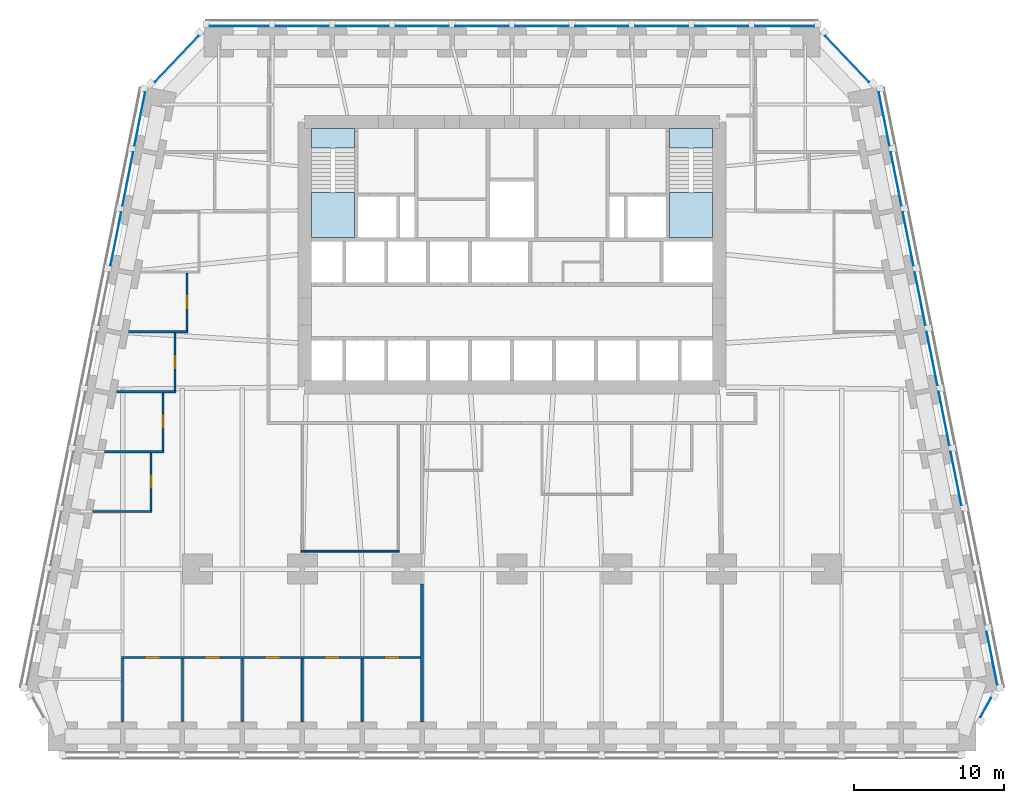
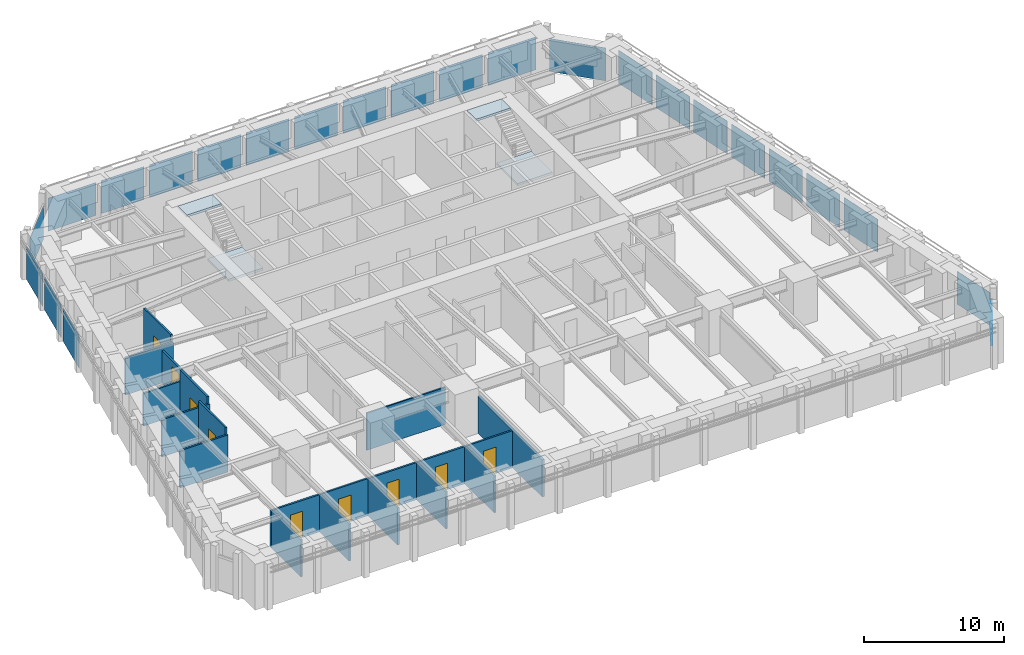
# One storey, part 5 of 10: 24 plates, 16 walls, 9 doors, 4 slabs, 9 openings, 8 elements without a shape of their own.
"""IFC4 building model written with IfcOpenShell, lengths in metres."""

from ifc_helpers import new_model, si_unit, direction, frame, frame_2d, origin, origin_2d, place, context, subcontext, project, spatial, polyline, rectangle, outline, extrude, material, layer, layer_set, type_object, element, fill, aggregate, save


model = new_model("IFC4")

# Units and contexts
model_context = context("Model", 3, precision=1e-05, world=origin(), true_north=direction((0.0, 1.0)))
body_context = subcontext(model_context, "Body", "Model", "MODEL_VIEW")
ifc_project = project(units=[si_unit("LENGTHUNIT", "METRE"), si_unit("AREAUNIT", "SQUARE_METRE"), si_unit("VOLUMEUNIT", "CUBIC_METRE"), si_unit("PLANEANGLEUNIT", "RADIAN"), si_unit("MASSUNIT", "GRAM", prefix="KILO")], contexts=[model_context])

# Site, building, storey
site_placement = place(None, origin())
site = spatial("IfcSite", under=ifc_project, at=site_placement, CompositionType="ELEMENT")
building_placement = place(site_placement, origin())
building = spatial("IfcBuilding", under=site, at=building_placement, Name="Isbrekke Arena Tower", CompositionType="ELEMENT")
storey_placement = place(building_placement, frame((0.0, 0.0, 56.0)))
storey = spatial("IfcBuildingStorey", under=building, at=storey_placement, Name="L11", CompositionType="ELEMENT", Elevation=56.0)

# Curtain wall, plate
ifc_material_1 = material(Name="Glazed aluminium curtain wall", Category="aluminium")
curtain_wall_type = type_object("IfcCurtainWallType", Name="CWL TOWER CURTAIN WALL LOW ZONE", PredefinedType="USERDEFINED", material=ifc_material_1)
curtain_wall_1_placement = place(storey_placement, origin())
curtain_wall_1 = element("IfcCurtainWall", 1, at=curtain_wall_1_placement, inside=storey, type_object=curtain_wall_type, Name="CWL curtain wall L11-SE", ObjectType="TOWER CURTAIN WALL LOW ZONE", PredefinedType="USERDEFINED")
ifc_material_2 = material(Name="Triple-glazed clear glass unit", Category="glass")
ifc_layer_1 = layer(ifc_material_2, 0.031982421875)
ifc_layer_set_1 = layer_set([ifc_layer_1], Name="CWL-P VISION PANEL")
plate_type = type_object("IfcPlateType", Name="CWL-P VISION PANEL", PredefinedType="CURTAIN_PANEL", material=ifc_layer_set_1)
plate_1_placement = place(storey_placement, frame((31.62744140625, -15.24853515625, 0.02001953125), z_axis=(0.0, 0.0, 1.0), x_axis=(0.481918749773, 0.876215908676, 0.0)))
plate_1 = element("IfcPlate", 2, at=plate_1_placement, type_object=plate_type, Name="CWL-P panel 1", PredefinedType="CURTAIN_PANEL", context=body_context, shape_type="SweptSolid", body=[
    extrude(rectangle(XDim=1.453369140625, YDim=0.031982421875, at=origin_2d()), origin(), (0.0, 0.0, 1.0), 2.8798828125),
])
aggregate(curtain_wall_1, [plate_1])

# Curtain wall, plates
curtain_wall_2_placement = place(storey_placement, origin())
curtain_wall_2 = element("IfcCurtainWall", 3, at=curtain_wall_2_placement, inside=storey, type_object=curtain_wall_type, Name="CWL curtain wall L11-E", ObjectType="TOWER CURTAIN WALL LOW ZONE", PredefinedType="USERDEFINED")
plate_2_placement = place(storey_placement, frame((32.045166015625, -11.950927734375, 0.02001953125), z_axis=(0.0, 0.0, 1.0), x_axis=(-0.196116135138, 0.980580675691, 0.0)))
plate_2 = element("IfcPlate", 4, at=plate_2_placement, type_object=plate_type, Name="CWL-P panel 1", PredefinedType="CURTAIN_PANEL", context=body_context, shape_type="SweptSolid", body=[
    extrude(rectangle(XDim=3.629150390625, YDim=0.031982421875, at=origin_2d()), origin(), (0.0, 0.0, 1.0), 2.8798828125),
])
plate_3_placement = place(storey_placement, frame((29.645263671875, 0.049072265625, 0.02001953125), z_axis=(0.0, 0.0, 1.0), x_axis=(-0.196116135138, 0.980580675691, 0.0)))
plate_3 = element("IfcPlate", 5, at=plate_3_placement, type_object=plate_type, Name="CWL-P panel 4", PredefinedType="CURTAIN_PANEL", context=body_context, shape_type="SweptSolid", body=[
    extrude(rectangle(XDim=3.629150390625, YDim=0.031982421875, at=origin_2d()), origin(), (0.0, 0.0, 1.0), 2.8798828125),
])
plate_4_placement = place(storey_placement, frame((28.84521484375, 4.049072265625, 0.02001953125), z_axis=(0.0, 0.0, 1.0), x_axis=(-0.196116135138, 0.980580675691, 0.0)))
plate_4 = element("IfcPlate", 6, at=plate_4_placement, type_object=plate_type, Name="CWL-P panel 5", PredefinedType="CURTAIN_PANEL", context=body_context, shape_type="SweptSolid", body=[
    extrude(rectangle(XDim=3.629150390625, YDim=0.031982421875, at=origin_2d()), origin(), (0.0, 0.0, 1.0), 2.8798828125),
])
plate_5_placement = place(storey_placement, frame((28.045166015625, 8.049072265625, 0.02001953125), z_axis=(0.0, 0.0, 1.0), x_axis=(-0.196116135138, 0.980580675691, 0.0)))
plate_5 = element("IfcPlate", 7, at=plate_5_placement, type_object=plate_type, Name="CWL-P panel 6", PredefinedType="CURTAIN_PANEL", context=body_context, shape_type="SweptSolid", body=[
    extrude(rectangle(XDim=3.629150390625, YDim=0.031982421875, at=origin_2d()), origin(), (0.0, 0.0, 1.0), 2.8798828125),
])
plate_6_placement = place(storey_placement, frame((27.2451171875, 12.049072265625, 0.02001953125), z_axis=(0.0, 0.0, 1.0), x_axis=(-0.196116135138, 0.980580675691, 0.0)))
plate_6 = element("IfcPlate", 8, at=plate_6_placement, type_object=plate_type, Name="CWL-P panel 7", PredefinedType="CURTAIN_PANEL", context=body_context, shape_type="SweptSolid", body=[
    extrude(rectangle(XDim=3.629150390625, YDim=0.031982421875, at=origin_2d()), origin(), (0.0, 0.0, 1.0), 2.8798828125),
])
plate_7_placement = place(storey_placement, frame((26.445068359375, 16.049072265625, 0.02001953125), z_axis=(0.0, 0.0, 1.0), x_axis=(-0.196116135138, 0.980580675691, 0.0)))
plate_7 = element("IfcPlate", 9, at=plate_7_placement, type_object=plate_type, Name="CWL-P panel 8", PredefinedType="CURTAIN_PANEL", context=body_context, shape_type="SweptSolid", body=[
    extrude(rectangle(XDim=3.629150390625, YDim=0.031982421875, at=origin_2d()), origin(), (0.0, 0.0, 1.0), 2.8798828125),
])
plate_8_placement = place(storey_placement, frame((25.645263671875, 20.049072265625, 0.02001953125), z_axis=(0.0, 0.0, 1.0), x_axis=(-0.196116135138, 0.980580675691, 0.0)))
plate_8 = element("IfcPlate", 10, at=plate_8_placement, type_object=plate_type, Name="CWL-P panel 9", PredefinedType="CURTAIN_PANEL", context=body_context, shape_type="SweptSolid", body=[
    extrude(rectangle(XDim=3.629150390625, YDim=0.031982421875, at=origin_2d()), origin(), (0.0, 0.0, 1.0), 2.8798828125),
])
plate_9_placement = place(storey_placement, frame((24.84521484375, 24.049072265625, 0.02001953125), z_axis=(0.0, 0.0, 1.0), x_axis=(-0.196116135138, 0.980580675691, 0.0)))
plate_9 = element("IfcPlate", 11, at=plate_9_placement, type_object=plate_type, Name="CWL-P panel 10", PredefinedType="CURTAIN_PANEL", context=body_context, shape_type="SweptSolid", body=[
    extrude(rectangle(XDim=3.629150390625, YDim=0.031982421875, at=origin_2d()), origin(), (0.0, 0.0, 1.0), 2.8798828125),
])
aggregate(curtain_wall_2, [plate_2, plate_3, plate_4, plate_5, plate_6, plate_7, plate_8, plate_9])

# Curtain wall, plate
curtain_wall_3_placement = place(storey_placement, origin())
curtain_wall_3 = element("IfcCurtainWall", 12, at=curtain_wall_3_placement, inside=storey, type_object=curtain_wall_type, Name="CWL curtain wall L11-EN", ObjectType="TOWER CURTAIN WALL LOW ZONE", PredefinedType="USERDEFINED")
plate_10_placement = place(storey_placement, frame((22.386474609375, 28.05419921875, 0.02001953125), z_axis=(0.0, 0.0, 1.0), x_axis=(-0.68874946192, 0.72499943359, 0.0)))
plate_10 = element("IfcPlate", 13, at=plate_10_placement, type_object=plate_type, Name="CWL-P panel 1", PredefinedType="CURTAIN_PANEL", context=body_context, shape_type="SweptSolid", body=[
    extrude(rectangle(XDim=4.22900390625, YDim=0.031982421875, at=origin_2d()), origin(), (0.0, 0.0, 1.0), 2.8798828125),
])
aggregate(curtain_wall_3, [plate_10])

# Curtain wall, plates
curtain_wall_4_placement = place(storey_placement, origin())
curtain_wall_4 = element("IfcCurtainWall", 14, at=curtain_wall_4_placement, inside=storey, type_object=curtain_wall_type, Name="CWL curtain wall L11-N", ObjectType="TOWER CURTAIN WALL LOW ZONE", PredefinedType="USERDEFINED")
plate_11_placement = place(storey_placement, frame((18.199951171875, 30.25, 0.02001953125), z_axis=(0.0, 0.0, 1.0), x_axis=(-1.0, 0.0, 0.0)))
plate_11 = element("IfcPlate", 15, at=plate_11_placement, type_object=plate_type, Name="CWL-P panel 1", PredefinedType="CURTAIN_PANEL", context=body_context, shape_type="SweptSolid", body=[
    extrude(rectangle(XDim=3.949951171875, YDim=0.031982421875, at=origin_2d()), origin(), (0.0, 0.0, 1.0), 2.8798828125),
])
plate_12_placement = place(storey_placement, frame((14.0, 30.25, 0.02001953125), z_axis=(0.0, 0.0, 1.0), x_axis=(-1.0, 0.0, 0.0)))
plate_12 = element("IfcPlate", 16, at=plate_12_placement, type_object=plate_type, Name="CWL-P panel 2", PredefinedType="CURTAIN_PANEL", context=body_context, shape_type="SweptSolid", body=[
    extrude(rectangle(XDim=3.550048828125, YDim=0.031982421875, at=origin_2d()), origin(), (0.0, 0.0, 1.0), 2.8798828125),
])
plate_13_placement = place(storey_placement, frame((10.0, 30.25, 0.02001953125), z_axis=(0.0, 0.0, 1.0), x_axis=(-1.0, 0.0, 0.0)))
plate_13 = element("IfcPlate", 17, at=plate_13_placement, type_object=plate_type, Name="CWL-P panel 3", PredefinedType="CURTAIN_PANEL", context=body_context, shape_type="SweptSolid", body=[
    extrude(rectangle(XDim=3.550048828125, YDim=0.031982421875, at=origin_2d()), origin(), (0.0, 0.0, 1.0), 2.8798828125),
])
plate_14_placement = place(storey_placement, frame((6.0, 30.25, 0.02001953125), z_axis=(0.0, 0.0, 1.0), x_axis=(-1.0, 0.0, 0.0)))
plate_14 = element("IfcPlate", 18, at=plate_14_placement, type_object=plate_type, Name="CWL-P panel 4", PredefinedType="CURTAIN_PANEL", context=body_context, shape_type="SweptSolid", body=[
    extrude(rectangle(XDim=3.550048828125, YDim=0.031982421875, at=origin_2d()), origin(), (0.0, 0.0, 1.0), 2.8798828125),
])
plate_15_placement = place(storey_placement, frame((2.0, 30.25, 0.02001953125), z_axis=(0.0, 0.0, 1.0), x_axis=(-1.0, 0.0, 0.0)))
plate_15 = element("IfcPlate", 19, at=plate_15_placement, type_object=plate_type, Name="CWL-P panel 5", PredefinedType="CURTAIN_PANEL", context=body_context, shape_type="SweptSolid", body=[
    extrude(rectangle(XDim=3.550048828125, YDim=0.031982421875, at=origin_2d()), origin(), (0.0, 0.0, 1.0), 2.8798828125),
])
plate_16_placement = place(storey_placement, frame((-2.0, 30.25, 0.02001953125), z_axis=(0.0, 0.0, 1.0), x_axis=(-1.0, 0.0, 0.0)))
plate_16 = element("IfcPlate", 20, at=plate_16_placement, type_object=plate_type, Name="CWL-P panel 6", PredefinedType="CURTAIN_PANEL", context=body_context, shape_type="SweptSolid", body=[
    extrude(rectangle(XDim=3.550048828125, YDim=0.031982421875, at=origin_2d()), origin(), (0.0, 0.0, 1.0), 2.8798828125),
])
plate_17_placement = place(storey_placement, frame((-6.0, 30.25, 0.02001953125), z_axis=(0.0, 0.0, 1.0), x_axis=(-1.0, 0.0, 0.0)))
plate_17 = element("IfcPlate", 21, at=plate_17_placement, type_object=plate_type, Name="CWL-P panel 7", PredefinedType="CURTAIN_PANEL", context=body_context, shape_type="SweptSolid", body=[
    extrude(rectangle(XDim=3.550048828125, YDim=0.031982421875, at=origin_2d()), origin(), (0.0, 0.0, 1.0), 2.8798828125),
])
plate_18_placement = place(storey_placement, frame((-10.0, 30.25, 0.02001953125), z_axis=(0.0, 0.0, 1.0), x_axis=(-1.0, 0.0, 0.0)))
plate_18 = element("IfcPlate", 22, at=plate_18_placement, type_object=plate_type, Name="CWL-P panel 8", PredefinedType="CURTAIN_PANEL", context=body_context, shape_type="SweptSolid", body=[
    extrude(rectangle(XDim=3.550048828125, YDim=0.031982421875, at=origin_2d()), origin(), (0.0, 0.0, 1.0), 2.8798828125),
])
plate_19_placement = place(storey_placement, frame((-14.0, 30.25, 0.02001953125), z_axis=(0.0, 0.0, 1.0), x_axis=(-1.0, 0.0, 0.0)))
plate_19 = element("IfcPlate", 23, at=plate_19_placement, type_object=plate_type, Name="CWL-P panel 9", PredefinedType="CURTAIN_PANEL", context=body_context, shape_type="SweptSolid", body=[
    extrude(rectangle(XDim=3.550048828125, YDim=0.031982421875, at=origin_2d()), origin(), (0.0, 0.0, 1.0), 2.8798828125),
])
plate_20_placement = place(storey_placement, frame((-18.199951171875, 30.25, 0.02001953125), z_axis=(0.0, 0.0, 1.0), x_axis=(-1.0, 0.0, 0.0)))
plate_20 = element("IfcPlate", 24, at=plate_20_placement, type_object=plate_type, Name="CWL-P panel 10", PredefinedType="CURTAIN_PANEL", context=body_context, shape_type="SweptSolid", body=[
    extrude(rectangle(XDim=3.949951171875, YDim=0.031982421875, at=origin_2d()), origin(), (0.0, 0.0, 1.0), 2.8798828125),
])
aggregate(curtain_wall_4, [plate_11, plate_12, plate_13, plate_14, plate_15, plate_16, plate_17, plate_18, plate_19, plate_20])

# Curtain wall, plate
curtain_wall_5_placement = place(storey_placement, origin())
curtain_wall_5 = element("IfcCurtainWall", 25, at=curtain_wall_5_placement, inside=storey, type_object=curtain_wall_type, Name="CWL curtain wall L11-NW", ObjectType="TOWER CURTAIN WALL LOW ZONE", PredefinedType="USERDEFINED")
plate_21_placement = place(storey_placement, frame((-22.38623046875, 28.054443359375, 0.02001953125), z_axis=(0.0, 0.0, 1.0), x_axis=(-0.68874946192, -0.72499943359, 0.0)))
plate_21 = element("IfcPlate", 26, at=plate_21_placement, type_object=plate_type, Name="CWL-P panel 1", PredefinedType="CURTAIN_PANEL", context=body_context, shape_type="SweptSolid", body=[
    extrude(rectangle(XDim=4.22802734375, YDim=0.031982421875, at=origin_2d()), origin(), (0.0, 0.0, 1.0), 2.8798828125),
])
aggregate(curtain_wall_5, [plate_21])

# Curtain wall, plates
curtain_wall_6_placement = place(storey_placement, origin())
curtain_wall_6 = element("IfcCurtainWall", 27, at=curtain_wall_6_placement, inside=storey, type_object=curtain_wall_type, Name="CWL curtain wall L11-W", ObjectType="TOWER CURTAIN WALL LOW ZONE", PredefinedType="USERDEFINED")
plate_22_placement = place(storey_placement, frame((-24.84521484375, 24.049072265625, 0.02001953125), z_axis=(0.0, 0.0, 1.0), x_axis=(-0.196116135138, -0.980580675691, 0.0)))
plate_22 = element("IfcPlate", 28, at=plate_22_placement, type_object=plate_type, Name="CWL-P panel 1", PredefinedType="CURTAIN_PANEL", context=body_context, shape_type="SweptSolid", body=[
    extrude(rectangle(XDim=3.629150390625, YDim=0.031982421875, at=origin_2d()), origin(), (0.0, 0.0, 1.0), 2.8798828125),
])
plate_23_placement = place(storey_placement, frame((-25.645263671875, 20.049072265625, 0.02001953125), z_axis=(0.0, 0.0, 1.0), x_axis=(-0.196116135138, -0.980580675691, 0.0)))
plate_23 = element("IfcPlate", 29, at=plate_23_placement, type_object=plate_type, Name="CWL-P panel 2", PredefinedType="CURTAIN_PANEL", context=body_context, shape_type="SweptSolid", body=[
    extrude(rectangle(XDim=3.629150390625, YDim=0.031982421875, at=origin_2d()), origin(), (0.0, 0.0, 1.0), 2.8798828125),
])
plate_24_placement = place(storey_placement, frame((-26.445068359375, 16.049072265625, 0.02001953125), z_axis=(0.0, 0.0, 1.0), x_axis=(-0.196116135138, -0.980580675691, 0.0)))
plate_24 = element("IfcPlate", 30, at=plate_24_placement, type_object=plate_type, Name="CWL-P panel 3", PredefinedType="CURTAIN_PANEL", context=body_context, shape_type="SweptSolid", body=[
    extrude(rectangle(XDim=3.629150390625, YDim=0.031982421875, at=origin_2d()), origin(), (0.0, 0.0, 1.0), 2.8798828125),
])
aggregate(curtain_wall_6, [plate_22, plate_23, plate_24])

# Stair, slabs
ifc_material_3 = material(Name="Concrete B45 (C45/55) precast", Category="concrete")
stair_type = type_object("IfcStairType", Name="ST40 STAIR 1300 WIDE, 24 RISERS 167", PredefinedType="HALF_TURN_STAIR", material=ifc_material_3)
stair_1_placement = place(storey_placement, origin())
stair_1 = element("IfcStair", 31, at=stair_1_placement, inside=storey, type_object=stair_type, Name="ST1 stair L11", PredefinedType="HALF_TURN_STAIR")
ifc_material_4 = material(Name="Concrete B35 (C35/45)", Category="concrete")
ifc_layer_2 = layer(ifc_material_4, 0.199951171875)
ifc_layer_set_2 = layer_set([ifc_layer_2], Name="SL1 STAIR LANDING 200")
slab_type = type_object("IfcSlabType", Name="SL1 STAIR LANDING 200", PredefinedType="LANDING", material=ifc_layer_set_2)
slab_1_placement = place(storey_placement, frame((0.0, 0.0, 1.800048828125)))
slab_1 = element("IfcSlab", 32, at=slab_1_placement, type_object=slab_type, Name="ST1 landing 1", PredefinedType="LANDING", context=body_context, shape_type="SweptSolid", body=[
    extrude(outline(polyline([(-13.39990234375, 16.125), (-10.52490234375, 16.125), (-10.52490234375, 19.1298828125), (-13.39990234375, 19.1298828125), (-13.39990234375, 16.125)])), origin(), (0.0, 0.0, 1.0), 0.199951171875),
])
slab_2_placement = place(storey_placement, frame((0.0, 0.0, 3.800048828125)))
slab_2 = element("IfcSlab", 33, at=slab_2_placement, type_object=slab_type, Name="ST1 landing 2", PredefinedType="LANDING", context=body_context, shape_type="SweptSolid", body=[
    extrude(outline(polyline([(-13.39990234375, 22.10009765625), (-10.52490234375, 22.10009765625), (-10.52490234375, 23.39990234375), (-13.39990234375, 23.39990234375), (-13.39990234375, 22.10009765625)])), origin(), (0.0, 0.0, 1.0), 0.199951171875),
])
aggregate(stair_1, [slab_1, slab_2])

stair_2_placement = place(storey_placement, origin())
stair_2 = element("IfcStair", 34, at=stair_2_placement, inside=storey, type_object=stair_type, Name="ST2 stair L11", PredefinedType="HALF_TURN_STAIR")
slab_3_placement = place(storey_placement, frame((0.0, 0.0, 1.800048828125)))
slab_3 = element("IfcSlab", 35, at=slab_3_placement, type_object=slab_type, Name="ST2 landing 1", PredefinedType="LANDING", context=body_context, shape_type="SweptSolid", body=[
    extrude(outline(polyline([(10.52490234375, 16.125), (13.39990234375, 16.125), (13.39990234375, 19.1298828125), (10.52490234375, 19.1298828125), (10.52490234375, 16.125)])), origin(), (0.0, 0.0, 1.0), 0.199951171875),
])
slab_4_placement = place(storey_placement, frame((0.0, 0.0, 3.800048828125)))
slab_4 = element("IfcSlab", 36, at=slab_4_placement, type_object=slab_type, Name="ST2 landing 2", PredefinedType="LANDING", context=body_context, shape_type="SweptSolid", body=[
    extrude(outline(polyline([(10.52490234375, 22.10009765625), (13.39990234375, 22.10009765625), (13.39990234375, 23.39990234375), (10.52490234375, 23.39990234375), (10.52490234375, 22.10009765625)])), origin(), (0.0, 0.0, 1.0), 0.199951171875),
])
aggregate(stair_2, [slab_3, slab_4])

# Wall, openings, doors
ifc_material_5 = material(Name="Gypsum board partition on steel studs", Category="steel")
ifc_layer_3 = layer(ifc_material_5, 0.14990234375)
ifc_layer_set_3 = layer_set([ifc_layer_3], Name="IW1 PARTITION 150")
wall_type_1 = type_object("IfcWallType", Name="IW1 PARTITION 150", PredefinedType="PARTITIONING", material=ifc_layer_set_3)
wall_1_placement = place(storey_placement, frame((-26.074951171875, -11.89990234375, 0.0), z_axis=(0.0, 0.0, 1.0), x_axis=(1.0, 0.0, 0.0)))
wall_1 = element("IfcWall", 37, at=wall_1_placement, inside=storey, type_object=wall_type_1, Name="IW1 partition 150 L11", PredefinedType="PARTITIONING", context=body_context, shape_type="SweptSolid", body=[
    extrude(rectangle(XDim=19.974853515625, YDim=0.14990234375, at=frame_2d((9.9873046875, 0.0))), origin(), (0.0, 0.0, 1.0), 3.25),
])
opening_1_placement = place(wall_1_placement, frame((1.574951171875, 0.0, 0.0)))
opening_1 = element("IfcOpeningElement", 38, at=opening_1_placement, cuts=wall_1, Name="Opening D10", PredefinedType="OPENING", context=body_context, shape_type="SweptSolid", body=[
    extrude(rectangle(XDim=1.0, YDim=2.300048828125, at=frame_2d((0.5, 1.14990234375))), frame((0.0, 0.08984375, 0.0), z_axis=(0.0, -1.0, 0.0), x_axis=(1.0, 0.0, 0.0)), (0.0, 0.0, 1.0), 0.1796875),
])
opening_2_placement = place(wall_1_placement, frame((5.574951171875, 0.0, 0.0)))
opening_2 = element("IfcOpeningElement", 39, at=opening_2_placement, cuts=wall_1, Name="Opening D10", PredefinedType="OPENING", context=body_context, shape_type="SweptSolid", body=[
    extrude(rectangle(XDim=1.0, YDim=2.300048828125, at=frame_2d((0.5, 1.14990234375))), frame((0.0, 0.08984375, 0.0), z_axis=(0.0, -1.0, 0.0), x_axis=(1.0, 0.0, 0.0)), (0.0, 0.0, 1.0), 0.1796875),
])
opening_3_placement = place(wall_1_placement, frame((9.574951171875, 0.0, 0.0)))
opening_3 = element("IfcOpeningElement", 40, at=opening_3_placement, cuts=wall_1, Name="Opening D10", PredefinedType="OPENING", context=body_context, shape_type="SweptSolid", body=[
    extrude(rectangle(XDim=1.0, YDim=2.300048828125, at=frame_2d((0.5, 1.14990234375))), frame((0.0, 0.08984375, 0.0), z_axis=(0.0, -1.0, 0.0), x_axis=(1.0, 0.0, 0.0)), (0.0, 0.0, 1.0), 0.1796875),
])
opening_4_placement = place(wall_1_placement, frame((13.574951171875, 0.0, 0.0)))
opening_4 = element("IfcOpeningElement", 41, at=opening_4_placement, cuts=wall_1, Name="Opening D10", PredefinedType="OPENING", context=body_context, shape_type="SweptSolid", body=[
    extrude(rectangle(XDim=1.0, YDim=2.300048828125, at=frame_2d((0.5, 1.14990234375))), frame((0.0, 0.08984375, 0.0), z_axis=(0.0, -1.0, 0.0), x_axis=(1.0, 0.0, 0.0)), (0.0, 0.0, 1.0), 0.1796875),
])
opening_5_placement = place(wall_1_placement, frame((17.574951171875, 0.0, 0.0)))
opening_5 = element("IfcOpeningElement", 42, at=opening_5_placement, cuts=wall_1, Name="Opening D10", PredefinedType="OPENING", context=body_context, shape_type="SweptSolid", body=[
    extrude(rectangle(XDim=1.0, YDim=2.300048828125, at=frame_2d((0.5, 1.14990234375))), frame((0.0, 0.08984375, 0.0), z_axis=(0.0, -1.0, 0.0), x_axis=(1.0, 0.0, 0.0)), (0.0, 0.0, 1.0), 0.1796875),
])
ifc_material_6 = material(Name="Timber door", Category="wood")
door_type = type_object("IfcDoorType", Name="D10 OFFICE DOOR 1000 x 2300", OperationType="SINGLE_SWING_LEFT", PredefinedType="DOOR", material=ifc_material_6)
door_1_placement = place(opening_1_placement, origin())
door_1 = element("IfcDoor", 43, at=door_1_placement, inside=storey, type_object=door_type, Name="D10 office door L11", OperationType="SINGLE_SWING_LEFT", OverallHeight=2.300048828125, OverallWidth=1.0, PredefinedType="DOOR", context=body_context, shape_type="SweptSolid", body=[
    extrude(rectangle(XDim=1.0, YDim=2.300048828125, at=frame_2d((0.5, 1.14990234375))), frame((0.0, 0.07470703125, 0.0), z_axis=(0.0, -1.0, 0.0), x_axis=(1.0, 0.0, 0.0)), (0.0, 0.0, 1.0), 0.1494140625),
])
fill(opening_1, door_1)
door_2_placement = place(opening_2_placement, origin())
door_2 = element("IfcDoor", 44, at=door_2_placement, inside=storey, type_object=door_type, Name="D10 office door L11", OperationType="SINGLE_SWING_LEFT", OverallHeight=2.300048828125, OverallWidth=1.0, PredefinedType="DOOR", context=body_context, shape_type="SweptSolid", body=[
    extrude(rectangle(XDim=1.0, YDim=2.300048828125, at=frame_2d((0.5, 1.14990234375))), frame((0.0, 0.07470703125, 0.0), z_axis=(0.0, -1.0, 0.0), x_axis=(1.0, 0.0, 0.0)), (0.0, 0.0, 1.0), 0.1494140625),
])
fill(opening_2, door_2)
door_3_placement = place(opening_3_placement, origin())
door_3 = element("IfcDoor", 45, at=door_3_placement, inside=storey, type_object=door_type, Name="D10 office door L11", OperationType="SINGLE_SWING_LEFT", OverallHeight=2.300048828125, OverallWidth=1.0, PredefinedType="DOOR", context=body_context, shape_type="SweptSolid", body=[
    extrude(rectangle(XDim=1.0, YDim=2.300048828125, at=frame_2d((0.5, 1.14990234375))), frame((0.0, 0.07470703125, 0.0), z_axis=(0.0, -1.0, 0.0), x_axis=(1.0, 0.0, 0.0)), (0.0, 0.0, 1.0), 0.1494140625),
])
fill(opening_3, door_3)
door_4_placement = place(opening_4_placement, origin())
door_4 = element("IfcDoor", 46, at=door_4_placement, inside=storey, type_object=door_type, Name="D10 office door L11", OperationType="SINGLE_SWING_LEFT", OverallHeight=2.300048828125, OverallWidth=1.0, PredefinedType="DOOR", context=body_context, shape_type="SweptSolid", body=[
    extrude(rectangle(XDim=1.0, YDim=2.300048828125, at=frame_2d((0.5, 1.14990234375))), frame((0.0, 0.07470703125, 0.0), z_axis=(0.0, -1.0, 0.0), x_axis=(1.0, 0.0, 0.0)), (0.0, 0.0, 1.0), 0.1494140625),
])
fill(opening_4, door_4)
door_5_placement = place(opening_5_placement, origin())
door_5 = element("IfcDoor", 47, at=door_5_placement, inside=storey, type_object=door_type, Name="D10 office door L11", OperationType="SINGLE_SWING_LEFT", OverallHeight=2.300048828125, OverallWidth=1.0, PredefinedType="DOOR", context=body_context, shape_type="SweptSolid", body=[
    extrude(rectangle(XDim=1.0, YDim=2.300048828125, at=frame_2d((0.5, 1.14990234375))), frame((0.0, 0.07470703125, 0.0), z_axis=(0.0, -1.0, 0.0), x_axis=(1.0, 0.0, 0.0)), (0.0, 0.0, 1.0), 0.1494140625),
])
fill(opening_5, door_5)

# Walls
wall_2_placement = place(storey_placement, frame((-27.996337890625, -2.159912109375, 0.0), z_axis=(0.0, 0.0, 1.0), x_axis=(1.0, 0.0, 0.0)))
element("IfcWall", 48, at=wall_2_placement, inside=storey, type_object=wall_type_1, Name="IW1 partition 150 L11", PredefinedType="PARTITIONING", context=body_context, shape_type="SweptSolid", body=[
    extrude(rectangle(XDim=3.971435546875, YDim=0.14990234375, at=frame_2d((1.98583984375, 0.0))), origin(), (0.0, 0.0, 1.0), 3.25),
])
wall_3_placement = place(storey_placement, frame((-27.1962890625, 1.840087890625, 0.0), z_axis=(0.0, 0.0, 1.0), x_axis=(1.0, 0.0, 0.0)))
element("IfcWall", 49, at=wall_3_placement, inside=storey, type_object=wall_type_1, Name="IW1 partition 150 L11", PredefinedType="PARTITIONING", context=body_context, shape_type="SweptSolid", body=[
    extrude(rectangle(XDim=3.97119140625, YDim=0.14990234375, at=frame_2d((1.985595703125, 0.0))), origin(), (0.0, 0.0, 1.0), 3.25),
])
wall_4_placement = place(storey_placement, frame((-26.396484375, 5.840087890625, 0.0), z_axis=(0.0, 0.0, 1.0), x_axis=(1.0, 0.0, 0.0)))
element("IfcWall", 50, at=wall_4_placement, inside=storey, type_object=wall_type_1, Name="IW1 partition 150 L11", PredefinedType="PARTITIONING", context=body_context, shape_type="SweptSolid", body=[
    extrude(rectangle(XDim=3.971435546875, YDim=0.14990234375, at=frame_2d((1.98583984375, 0.0))), origin(), (0.0, 0.0, 1.0), 2.842041015625),
])
wall_5_placement = place(storey_placement, frame((-25.596435546875, 9.840087890625, 0.0), z_axis=(0.0, 0.0, 1.0), x_axis=(1.0, 0.0, 0.0)))
element("IfcWall", 51, at=wall_5_placement, inside=storey, type_object=wall_type_1, Name="IW1 partition 150 L11", PredefinedType="PARTITIONING", context=body_context, shape_type="SweptSolid", body=[
    extrude(rectangle(XDim=3.971435546875, YDim=0.14990234375, at=frame_2d((1.98583984375, 0.0))), origin(), (0.0, 0.0, 1.0), 3.25),
])
wall_6_placement = place(storey_placement, frame((-26.0, -16.199951171875, 0.0), z_axis=(0.0, 0.0, 1.0), x_axis=(0.0, 1.0, 0.0)))
element("IfcWall", 52, at=wall_6_placement, inside=storey, type_object=wall_type_1, Name="IW1 partition 150 L11", PredefinedType="PARTITIONING", context=body_context, shape_type="SweptSolid", body=[
    extrude(rectangle(XDim=4.224853515625, YDim=0.14990234375, at=frame_2d((2.1123046875, 0.0))), origin(), (0.0, 0.0, 1.0), 3.25),
])

# Wall, opening, door
wall_7_placement = place(storey_placement, frame((-24.10009765625, -2.0849609375, 0.0), z_axis=(0.0, 0.0, 1.0), x_axis=(0.0, 1.0, 0.0)))
wall_7 = element("IfcWall", 53, at=wall_7_placement, inside=storey, type_object=wall_type_1, Name="IW1 partition 150 L11", PredefinedType="PARTITIONING", context=body_context, shape_type="SweptSolid", body=[
    extrude(rectangle(XDim=3.849853515625, YDim=0.14990234375, at=frame_2d((1.9248046875, 0.0))), origin(), (0.0, 0.0, 1.0), 3.85009765625),
])
opening_6_placement = place(wall_7_placement, frame((1.425048828125, 0.0, 0.0)))
opening_6 = element("IfcOpeningElement", 54, at=opening_6_placement, cuts=wall_7, Name="Opening D10", PredefinedType="OPENING", context=body_context, shape_type="SweptSolid", body=[
    extrude(rectangle(XDim=1.0, YDim=2.300048828125, at=frame_2d((0.5, 1.14990234375))), frame((0.0, 0.08984375, 0.0), z_axis=(0.0, -1.0, 0.0), x_axis=(1.0, 0.0, 0.0)), (0.0, 0.0, 1.0), 0.1796875),
])
door_6_placement = place(opening_6_placement, origin())
door_6 = element("IfcDoor", 55, at=door_6_placement, inside=storey, type_object=door_type, Name="D10 office door L11", OperationType="SINGLE_SWING_LEFT", OverallHeight=2.300048828125, OverallWidth=1.0, PredefinedType="DOOR", context=body_context, shape_type="SweptSolid", body=[
    extrude(rectangle(XDim=1.0, YDim=2.300048828125, at=frame_2d((0.5, 1.14990234375))), frame((0.0, 0.07470703125, 0.0), z_axis=(0.0, -1.0, 0.0), x_axis=(1.0, 0.0, 0.0)), (0.0, 0.0, 1.0), 0.1494140625),
])
fill(opening_6, door_6)

wall_8_placement = place(storey_placement, frame((-23.300048828125, 1.9150390625, 0.0), z_axis=(0.0, 0.0, 1.0), x_axis=(0.0, 1.0, 0.0)))
wall_8 = element("IfcWall", 56, at=wall_8_placement, inside=storey, type_object=wall_type_1, Name="IW1 partition 150 L11", PredefinedType="PARTITIONING", context=body_context, shape_type="SweptSolid", body=[
    extrude(rectangle(XDim=3.849853515625, YDim=0.14990234375, at=frame_2d((1.9248046875, 0.0))), origin(), (0.0, 0.0, 1.0), 3.85009765625),
])
opening_7_placement = place(wall_8_placement, frame((1.425048828125, 0.0, 0.0)))
opening_7 = element("IfcOpeningElement", 57, at=opening_7_placement, cuts=wall_8, Name="Opening D10", PredefinedType="OPENING", context=body_context, shape_type="SweptSolid", body=[
    extrude(rectangle(XDim=1.0, YDim=2.300048828125, at=frame_2d((0.5, 1.14990234375))), frame((0.0, 0.08984375, 0.0), z_axis=(0.0, -1.0, 0.0), x_axis=(1.0, 0.0, 0.0)), (0.0, 0.0, 1.0), 0.1796875),
])
door_7_placement = place(opening_7_placement, origin())
door_7 = element("IfcDoor", 58, at=door_7_placement, inside=storey, type_object=door_type, Name="D10 office door L11", OperationType="SINGLE_SWING_LEFT", OverallHeight=2.300048828125, OverallWidth=1.0, PredefinedType="DOOR", context=body_context, shape_type="SweptSolid", body=[
    extrude(rectangle(XDim=1.0, YDim=2.300048828125, at=frame_2d((0.5, 1.14990234375))), frame((0.0, 0.07470703125, 0.0), z_axis=(0.0, -1.0, 0.0), x_axis=(1.0, 0.0, 0.0)), (0.0, 0.0, 1.0), 0.1494140625),
])
fill(opening_7, door_7)

wall_9_placement = place(storey_placement, frame((-22.5, 5.9150390625, 0.0), z_axis=(0.0, 0.0, 1.0), x_axis=(0.0, 1.0, 0.0)))
wall_9 = element("IfcWall", 59, at=wall_9_placement, inside=storey, type_object=wall_type_1, Name="IW1 partition 150 L11", PredefinedType="PARTITIONING", context=body_context, shape_type="SweptSolid", body=[
    extrude(rectangle(XDim=3.849853515625, YDim=0.14990234375, at=frame_2d((1.9248046875, 0.0))), origin(), (0.0, 0.0, 1.0), 2.842041015625),
])
opening_8_placement = place(wall_9_placement, frame((1.425048828125, 0.0, 0.0)))
opening_8 = element("IfcOpeningElement", 60, at=opening_8_placement, cuts=wall_9, Name="Opening D10", PredefinedType="OPENING", context=body_context, shape_type="SweptSolid", body=[
    extrude(rectangle(XDim=1.0, YDim=2.300048828125, at=frame_2d((0.5, 1.14990234375))), frame((0.0, 0.08984375, 0.0), z_axis=(0.0, -1.0, 0.0), x_axis=(1.0, 0.0, 0.0)), (0.0, 0.0, 1.0), 0.1796875),
])
door_8_placement = place(opening_8_placement, origin())
door_8 = element("IfcDoor", 61, at=door_8_placement, inside=storey, type_object=door_type, Name="D10 office door L11", OperationType="SINGLE_SWING_LEFT", OverallHeight=2.300048828125, OverallWidth=1.0, PredefinedType="DOOR", context=body_context, shape_type="SweptSolid", body=[
    extrude(rectangle(XDim=1.0, YDim=2.300048828125, at=frame_2d((0.5, 1.14990234375))), frame((0.0, 0.07470703125, 0.0), z_axis=(0.0, -1.0, 0.0), x_axis=(1.0, 0.0, 0.0)), (0.0, 0.0, 1.0), 0.1494140625),
])
fill(opening_8, door_8)

# Wall
wall_10_placement = place(storey_placement, frame((-22.0, -16.199951171875, 0.0), z_axis=(0.0, 0.0, 1.0), x_axis=(0.0, 1.0, 0.0)))
element("IfcWall", 62, at=wall_10_placement, inside=storey, type_object=wall_type_1, Name="IW1 partition 150 L11", PredefinedType="PARTITIONING", context=body_context, shape_type="SweptSolid", body=[
    extrude(rectangle(XDim=4.224853515625, YDim=0.14990234375, at=frame_2d((2.1123046875, 0.0))), origin(), (0.0, 0.0, 1.0), 3.25),
])

# Wall, opening, door
wall_11_placement = place(storey_placement, frame((-21.699951171875, 9.9150390625, 0.0), z_axis=(0.0, 0.0, 1.0), x_axis=(0.0, 1.0, 0.0)))
wall_11 = element("IfcWall", 63, at=wall_11_placement, inside=storey, type_object=wall_type_1, Name="IW1 partition 150 L11", PredefinedType="PARTITIONING", context=body_context, shape_type="SweptSolid", body=[
    extrude(rectangle(XDim=3.849853515625, YDim=0.14990234375, at=frame_2d((1.9248046875, 0.0))), origin(), (0.0, 0.0, 1.0), 3.85009765625),
])
opening_9_placement = place(wall_11_placement, frame((1.425048828125, 0.0, 0.0)))
opening_9 = element("IfcOpeningElement", 64, at=opening_9_placement, cuts=wall_11, Name="Opening D10", PredefinedType="OPENING", context=body_context, shape_type="SweptSolid", body=[
    extrude(rectangle(XDim=1.0, YDim=2.300048828125, at=frame_2d((0.5, 1.14990234375))), frame((0.0, 0.08984375, 0.0), z_axis=(0.0, -1.0, 0.0), x_axis=(1.0, 0.0, 0.0)), (0.0, 0.0, 1.0), 0.1796875),
])
door_9_placement = place(opening_9_placement, origin())
door_9 = element("IfcDoor", 65, at=door_9_placement, inside=storey, type_object=door_type, Name="D10 office door L11", OperationType="SINGLE_SWING_LEFT", OverallHeight=2.300048828125, OverallWidth=1.0, PredefinedType="DOOR", context=body_context, shape_type="SweptSolid", body=[
    extrude(rectangle(XDim=1.0, YDim=2.300048828125, at=frame_2d((0.5, 1.14990234375))), frame((0.0, 0.07470703125, 0.0), z_axis=(0.0, -1.0, 0.0), x_axis=(1.0, 0.0, 0.0)), (0.0, 0.0, 1.0), 0.1494140625),
])
fill(opening_9, door_9)

# Walls
for number, where, z_axis, x_axis, name in (
    (66, (-18.0, -16.199951171875, 0.0), (0.0, 0.0, 1.0), (0.0, 1.0, 0.0), "IW1 partition 150 L11"),
    (67, (-14.0, -16.199951171875, 0.0), (0.0, 0.0, 1.0), (0.0, 1.0, 0.0), "IW1 partition 150 L11"),
    (68, (-10.0, -16.199951171875, 0.0), (0.0, 0.0, 1.0), (0.0, 1.0, 0.0), "IW1 partition 150 L11"),
):
    element("IfcWall", number, at=place(storey_placement, frame(where, z_axis=z_axis, x_axis=x_axis)), inside=storey, type_object=wall_type_1, Name=name, PredefinedType="PARTITIONING", context=body_context, shape_type="SweptSolid", body=[
        extrude(rectangle(XDim=4.224853515625, YDim=0.14990234375, at=frame_2d((2.1123046875, 0.0))), origin(), (0.0, 0.0, 1.0), 3.25),
    ])
ifc_material_7 = material(Name="Frameless glazed partition, laminated acoustic glass", Category="glass")
ifc_layer_4 = layer(ifc_material_7, 0.1201171875)
ifc_layer_set_4 = layer_set([ifc_layer_4], Name="IW2 GLAZED PARTITION 120")
wall_type_2 = type_object("IfcWallType", Name="IW2 GLAZED PARTITION 120", PredefinedType="PARTITIONING", material=ifc_layer_set_4)
wall_12_placement = place(storey_placement, frame((-14.06005859375, -4.800048828125, 0.0), z_axis=(0.0, 0.0, 1.0), x_axis=(1.0, 0.0, 0.0)))
element("IfcWall", 69, at=wall_12_placement, inside=storey, type_object=wall_type_2, Name="IW2 glazed partition 120 L11", PredefinedType="PARTITIONING", context=body_context, shape_type="SweptSolid", body=[
    extrude(rectangle(XDim=6.52001953125, YDim=0.1201171875, at=frame_2d((3.260009765625, 0.0))), origin(), (0.0, 0.0, 1.0), 3.25),
])
ifc_material_8 = material(Name="Gypsum board fire-cell wall on steel studs, two layers each side", Category="steel")
ifc_layer_5 = layer(ifc_material_8, 0.199951171875)
ifc_layer_set_5 = layer_set([ifc_layer_5], Name="IW3 FIRE-CELL WALL 200")
wall_type_3 = type_object("IfcWallType", Name="IW3 FIRE-CELL WALL 200", PredefinedType="PARTITIONING", material=ifc_layer_set_5)
wall_13_placement = place(storey_placement, frame((-6.0, -16.199951171875, 0.0), z_axis=(0.0, 0.0, 1.0), x_axis=(0.0, 1.0, 0.0)))
element("IfcWall", 70, at=wall_13_placement, inside=storey, type_object=wall_type_3, Name="IW3 fire-cell wall 200 L11", PredefinedType="PARTITIONING", context=body_context, shape_type="SweptSolid", body=[
    extrude(rectangle(XDim=9.199951171875, YDim=0.199951171875, at=frame_2d((4.60009765625, 0.0))), origin(), (0.0, 0.0, 1.0), 3.25),
])

save(model, "model.ifc")
